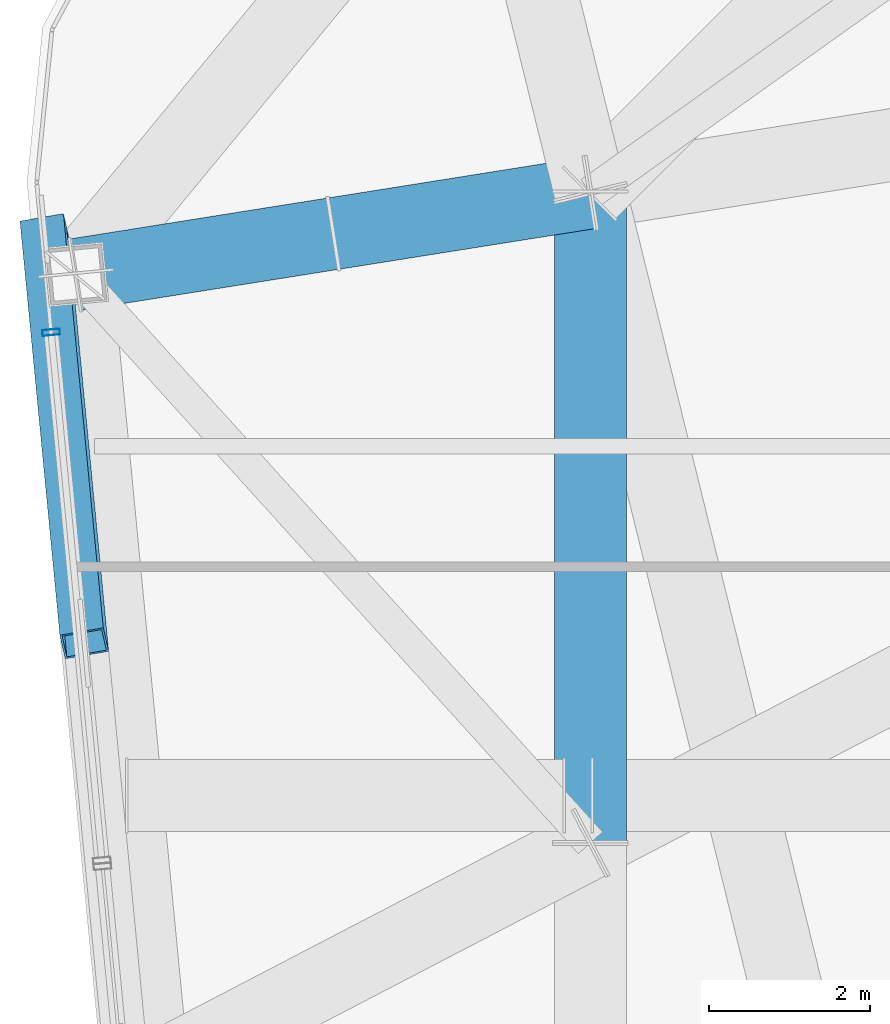
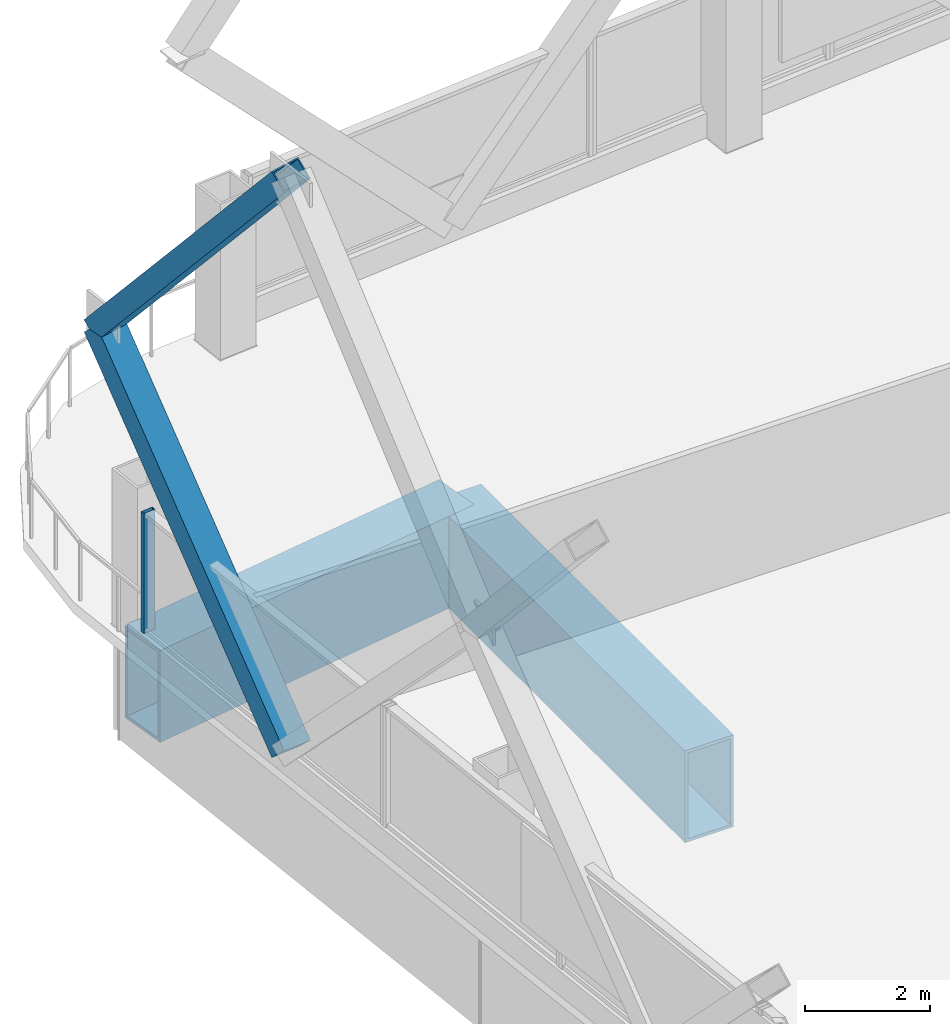
# One storey, part 20 of 37: 3 members, 2 beams, 1 element without a shape of its own.
"""IFC4 building model written with IfcOpenShell, lengths in metres."""

from ifc_helpers import new_model, si_unit, direction, frame, origin, origin_2d, place, context, subcontext, project, spatial, hollow_rectangle, extrude, material, layer, layer_set, material_profile, profile_set, type_object, element, aggregate, save


model = new_model("IFC4")

# Units and contexts
model_context = context("Model", 3, precision=1e-05, world=origin(), true_north=direction((0.0, 1.0)))
body_context = subcontext(model_context, "Body", "Model", "MODEL_VIEW")
ifc_project = project(units=[si_unit("LENGTHUNIT", "METRE"), si_unit("AREAUNIT", "SQUARE_METRE"), si_unit("VOLUMEUNIT", "CUBIC_METRE"), si_unit("PLANEANGLEUNIT", "RADIAN"), si_unit("MASSUNIT", "GRAM", prefix="KILO")], contexts=[model_context])

# Site, building, storey
site_placement = place(None, origin())
site = spatial("IfcSite", under=ifc_project, at=site_placement, CompositionType="ELEMENT")
building_placement = place(site_placement, origin())
building = spatial("IfcBuilding", under=site, at=building_placement, Name="Qhalaya Broadcast Tower", CompositionType="ELEMENT")
storey_placement = place(building_placement, frame((0.0, 0.0, 156.14990234375)))
storey = spatial("IfcBuildingStorey", under=building, at=storey_placement, Name="L45", CompositionType="ELEMENT", Elevation=156.14990234375)

# Beams
ifc_material_1 = material(Name="Structural Steel ASTM A572 Grade 50", Category="steel")
ifc_material_profile_1 = material_profile(ifc_material_1, hollow_rectangle(XDim=0.89990234375, YDim=1.800048828125, WallThickness=0.06005859375, at=origin_2d()), Name="BOX 900x1800x60")
ifc_profile_set_1 = profile_set([ifc_material_profile_1], Name="Structural Steel ASTM A572 Grade 50")
beam_type = type_object("IfcBeamType", Name="Block Cantilever Transfer Box Girder TG1", PredefinedType="USERDEFINED", material=ifc_profile_set_1)
beam_1_placement = place(storey_placement, frame((-19.1201171875, 17.4599609375, -1.119873046875), z_axis=(0.0, -1.0, 0.0), x_axis=(1.0, 0.0, 0.0)))
element("IfcBeam", 1, at=beam_1_placement, inside=storey, type_object=beam_type, Name="L45 TG1 L45-TGL-13", ObjectType="GIRDER", PredefinedType="USERDEFINED", context=body_context, shape_type="SweptSolid", body=[
    extrude(hollow_rectangle(XDim=0.89990234375, YDim=1.800048828125, WallThickness=0.06005859375, at=origin_2d()), origin(), (0.0, 0.0, 1.0), 8.099853515625),
])
beam_2_placement = place(storey_placement, frame((-19.1201171875, 17.4599609375, -1.119873046875), z_axis=(-0.987612398369, -0.156913194437, 0.0), x_axis=(0.156913194437, -0.987612398369, 0.0)))
element("IfcBeam", 2, at=beam_2_placement, inside=storey, type_object=beam_type, Name="L45 Cantilever Transfer Box Girder 13", ObjectType="GIRDER", PredefinedType="USERDEFINED", context=body_context, shape_type="SweptSolid", body=[
    extrude(hollow_rectangle(XDim=0.89990234375, YDim=1.800048828125, WallThickness=0.06005859375, at=origin_2d()), origin(), (0.0, 0.0, 1.0), 6.488037109375),
])

# Members
ifc_material_profile_2 = material_profile(ifc_material_1, hollow_rectangle(XDim=0.39990234375, YDim=0.550048828125, WallThickness=0.02490234375, at=origin_2d()), Name="BOX 400x550x25")
ifc_profile_set_2 = profile_set([ifc_material_profile_2], Name="Structural Steel ASTM A572 Grade 50")
member_type_1 = type_object("IfcMemberType", Name="Exoskeleton Diamond Diagonal Mid-High EX3", PredefinedType="BRACE", material=ifc_profile_set_2)
member_1_placement = place(storey_placement, frame((-25.427001953125, 11.84716796875, 0.360107421875), z_axis=(-0.066504325889, 0.690631901239, 0.720142174594), x_axis=(0.164113379892, -0.704339295697, 0.690632286443)))
element("IfcMember", 3, at=member_1_placement, inside=storey, type_object=member_type_1, Name="B4 Exoskeleton Diamond Brace W1-D1", PredefinedType="BRACE", context=body_context, shape_type="SweptSolid", body=[
    extrude(hollow_rectangle(XDim=0.39990234375, YDim=0.550048828125, WallThickness=0.02490234375, at=origin_2d()), origin(), (0.0, 0.0, 1.0), 7.470703125),
])
member_2_placement = place(storey_placement, frame((-25.923828125, 17.006591796875, 5.739990234375), z_axis=(0.06350423358, -0.659476642868, 0.749037896123), x_axis=(-0.166870327526, 0.732969553362, 0.659477010695)))
element("IfcMember", 4, at=member_2_placement, inside=storey, type_object=member_type_1, Name="B4 Exoskeleton Diamond Brace W1-D3", PredefinedType="BRACE", context=body_context, shape_type="SweptSolid", body=[
    extrude(hollow_rectangle(XDim=0.39990234375, YDim=0.550048828125, WallThickness=0.02490234375, at=origin_2d()), origin(), (0.0, 0.0, 1.0), 7.823486328125),
])

# Curtain wall, member
ifc_material_2 = material(Name="Fired Architectural Terracotta", Category="masonry")
ifc_layer = layer(ifc_material_2, 0.219970703125, Name="Fired Architectural Terracotta")
ifc_layer_set = layer_set([ifc_layer], Name="Fired Architectural Terracotta")
curtain_wall_type = type_object("IfcCurtainWallType", Name="Block-Cap Unitised Terracotta Spandrel Wall CW-07", PredefinedType="NOTDEFINED", material=ifc_layer_set)
curtain_wall_placement = place(storey_placement, origin())
curtain_wall = element("IfcCurtainWall", 5, at=curtain_wall_placement, inside=storey, type_object=curtain_wall_type, Name="L45 Unitised Curtain Wall L45-CW-W1", PredefinedType="NOTDEFINED")
ifc_material_3 = material(Name="Anodised Aluminium 6063-T6", Category="aluminium")
ifc_material_profile_3 = material_profile(ifc_material_3, hollow_rectangle(XDim=0.074951171875, YDim=0.219970703125, WallThickness=0.00390625, at=origin_2d()), Name="ALU-MUL 75x220x4")
ifc_profile_set_3 = profile_set([ifc_material_profile_3], Name="Anodised Aluminium 6063-T6")
member_type_2 = type_object("IfcMemberType", Name="Unitised Curtain-Wall Mullion M01", PredefinedType="MULLION", material=ifc_profile_set_3)
member_3_placement = place(storey_placement, frame((-25.840087890625, 15.72119140625, 0.47998046875), z_axis=(0.0, 0.0, 1.0), x_axis=(0.095842362816, -0.995396524753, 0.0)))
member_3 = element("IfcMember", 6, at=member_3_placement, type_object=member_type_2, Name="CW-07 mullion 1", PredefinedType="MULLION", context=body_context, shape_type="SweptSolid", body=[
    extrude(hollow_rectangle(XDim=0.074951171875, YDim=0.219970703125, WallThickness=0.00390625, at=origin_2d()), origin(), (0.0, 0.0, 1.0), 2.35009765625),
])
aggregate(curtain_wall, [member_3])

save(model, "model.ifc")
